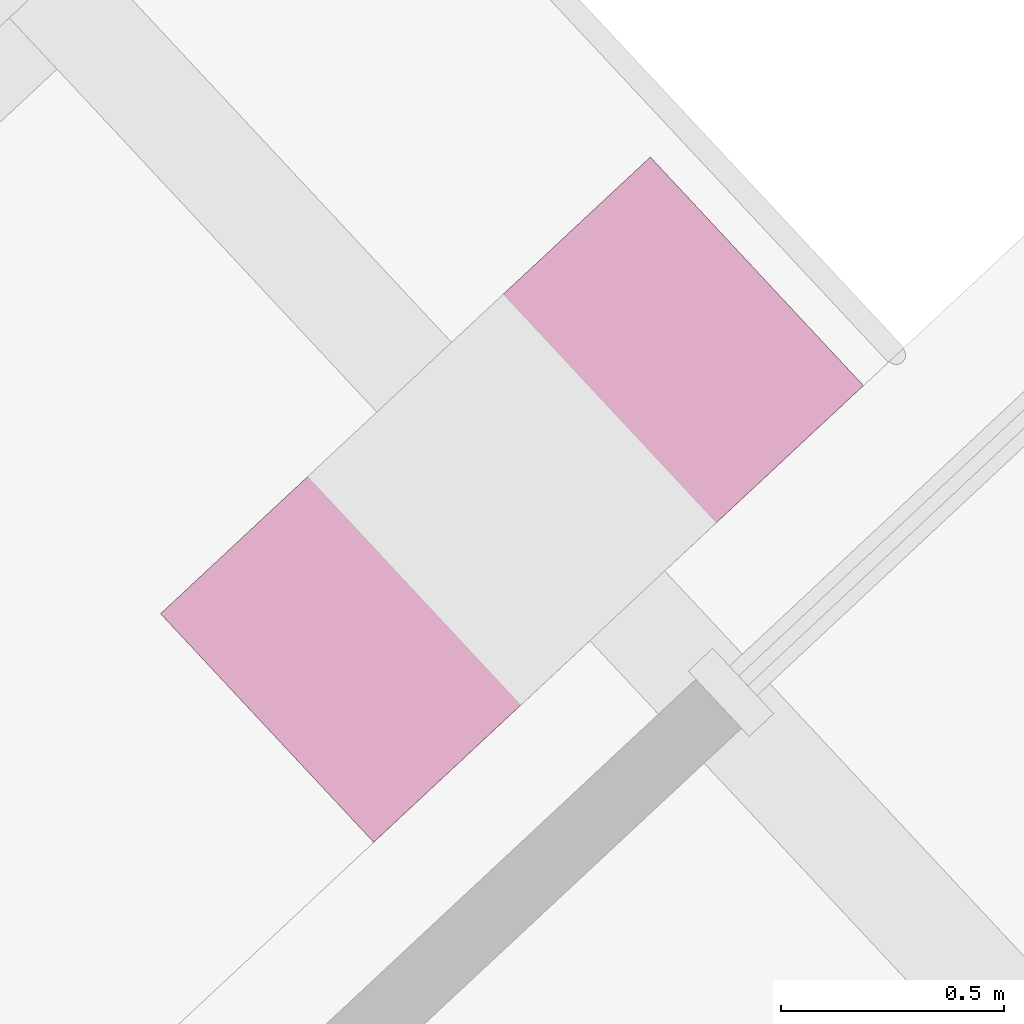
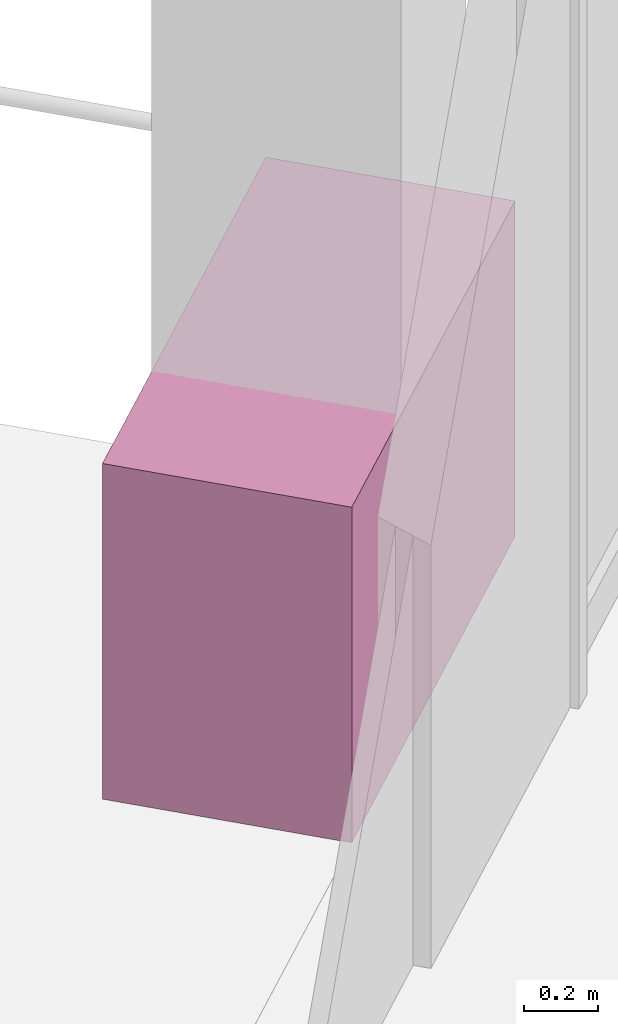
# One storey, part 24 of 25: 1 furniture element.
"""IFC4 building model written with IfcOpenShell, lengths in metres."""

from ifc_helpers import new_model, si_unit, direction, frame, origin, origin_2d, place, context, subcontext, project, spatial, rectangle, extrude, source, transform, mapped, material, type_object, element, save


model = new_model("IFC4")

# Units and contexts
model_context = context("Model", 3, precision=1e-05, world=origin(), true_north=direction((0.0, 1.0)))
body_context = subcontext(model_context, "Body", "Model", "MODEL_VIEW")
ifc_project = project(units=[si_unit("LENGTHUNIT", "METRE"), si_unit("AREAUNIT", "SQUARE_METRE"), si_unit("VOLUMEUNIT", "CUBIC_METRE"), si_unit("PLANEANGLEUNIT", "RADIAN"), si_unit("MASSUNIT", "GRAM", prefix="KILO")], contexts=[model_context])

# Site, building, storey
site_placement = place(None, origin())
site = spatial("IfcSite", under=ifc_project, at=site_placement, CompositionType="ELEMENT")
building_placement = place(site_placement, origin())
building = spatial("IfcBuilding", under=site, at=building_placement, Name="Triune Harvest Tower", CompositionType="ELEMENT")
storey_placement = place(building_placement, frame((0.0, 0.0, 130.699951171875)))
storey = spatial("IfcBuildingStorey", under=building, at=storey_placement, Name="L33", CompositionType="ELEMENT", Elevation=130.699951171875)

# Furniture
ifc_material = material(Name="Concrete 40 MPa", Category="concrete")
furniture_type = type_object("IfcFurnitureType", Name="PB-1 structural planter", AssemblyPlace="SITE", PredefinedType="USERDEFINED", material=ifc_material)
shared_shape = source(origin(), body_context, "Body", "SweptSolid", [
    extrude(rectangle(XDim=1.5, YDim=0.699951171875, at=origin_2d()), origin(), (0.0, 0.0, 1.0), 1.10009765625),
])
furniture_placement = place(storey_placement, frame((-15.4833984375, 16.564697265625, 0.0), z_axis=(0.0, 0.0, 1.0), x_axis=(-0.73135336394, -0.681998722179, 0.0)))
element("IfcFurniture", 1, at=furniture_placement, inside=storey, type_object=furniture_type, Name="Planter B3-F3 L33.7a", ObjectType="PLANTER", PredefinedType="USERDEFINED", context=body_context, shape_type="MappedRepresentation", body=[
    mapped(shared_shape, transform((0.0, 0.0, 0.0), scale=1.0)),
])

save(model, "model.ifc")
